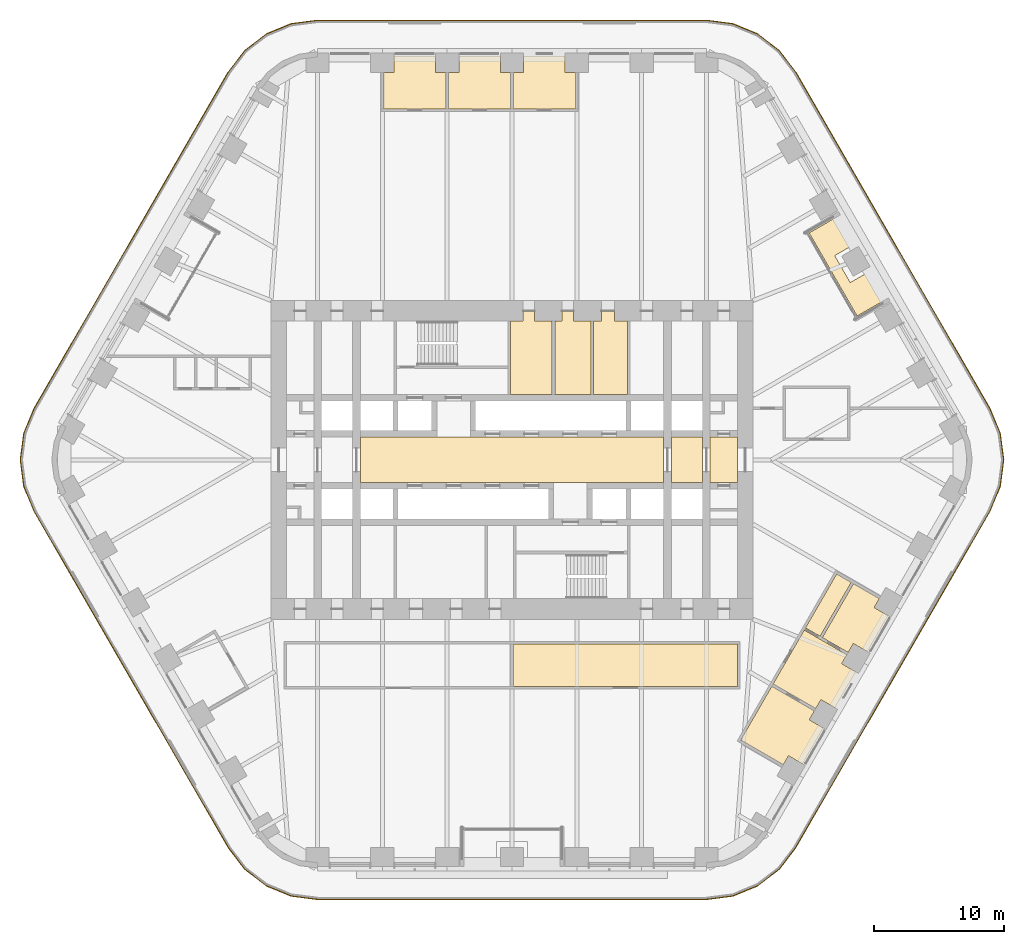
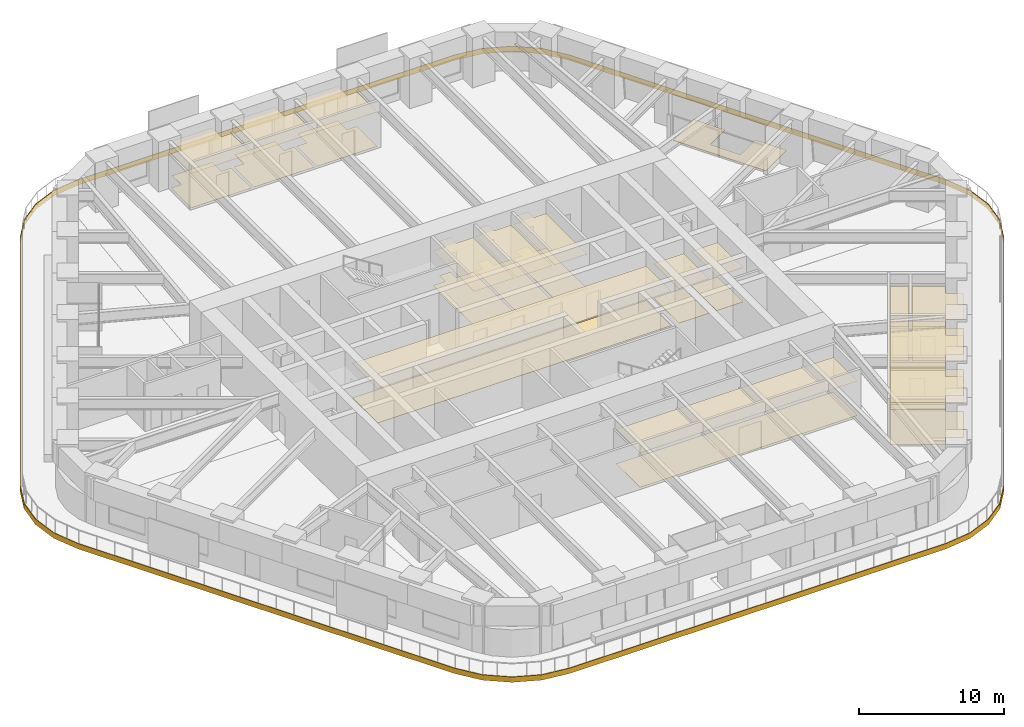
# One storey, part 23 of 24: 16 coverings.
"""IFC4 building model written with IfcOpenShell, lengths in metres."""

from ifc_helpers import new_model, si_unit, direction, frame, origin, place, context, subcontext, project, spatial, polyline, outline, extrude, material, layer, layer_set, type_object, element, save


model = new_model("IFC4")

# Units and contexts
model_context = context("Model", 3, precision=1e-05, world=origin(), true_north=direction((0.0, 1.0)))
body_context = subcontext(model_context, "Body", "Model", "MODEL_VIEW")
ifc_project = project(units=[si_unit("LENGTHUNIT", "METRE"), si_unit("AREAUNIT", "SQUARE_METRE"), si_unit("VOLUMEUNIT", "CUBIC_METRE"), si_unit("PLANEANGLEUNIT", "RADIAN"), si_unit("MASSUNIT", "GRAM", prefix="KILO")], contexts=[model_context])

# Site, building, storey
site_placement = place(None, origin())
site = spatial("IfcSite", under=ifc_project, at=site_placement, CompositionType="ELEMENT")
building_placement = place(site_placement, origin())
building = spatial("IfcBuilding", under=site, at=building_placement, Name="Tarfa Lantern Tower", CompositionType="ELEMENT")
storey_placement = place(building_placement, frame((0.0, 0.0, 123.699951171875)))
storey = spatial("IfcBuildingStorey", under=building, at=storey_placement, Name="L27", CompositionType="ELEMENT", Elevation=123.699951171875)

# Coverings
ifc_material_1 = material(Name="Mineral fibre acoustic tile on suspension grid", Category="finish")
ifc_layer_1 = layer(ifc_material_1, 0.02001953125)
ifc_layer_set_1 = layer_set([ifc_layer_1], Name="CL1 ACOUSTIC TILE CEILING 20")
covering_type_1 = type_object("IfcCoveringType", Name="CL1 ACOUSTIC TILE CEILING 20", PredefinedType="CEILING", material=ifc_layer_set_1)
covering_1_placement = place(storey_placement, frame((0.0, 0.0, 2.900146484375)))
element("IfcCovering", 1, at=covering_1_placement, inside=storey, type_object=covering_type_1, Name="Ceiling L27 CL1", PredefinedType="CEILING", context=body_context, shape_type="SweptSolid", body=[
    extrude(outline(polyline([(4.90380859375, 27.10009765625), (0.10009765625, 27.10009765625), (0.10009765625, 29.89990234375), (0.89990234375, 29.89990234375), (0.89990234375, 31.14990234375), (4.103759765625, 31.14990234375), (4.103759765625, 29.89990234375), (4.90380859375, 29.89990234375), (4.90380859375, 27.10009765625)])), origin(), (0.0, 0.0, 1.0), 0.02001953125),
    extrude(outline(polyline([(-0.10009765625, 27.10009765625), (-4.90380859375, 27.10009765625), (-4.90380859375, 29.89990234375), (-4.103759765625, 29.89990234375), (-4.103759765625, 31.14990234375), (-0.89990234375, 31.14990234375), (-0.89990234375, 29.89990234375), (-0.10009765625, 29.89990234375), (-0.10009765625, 27.10009765625)])), origin(), (0.0, 0.0, 1.0), 0.02001953125),
    extrude(outline(polyline([(-5.103759765625, 27.10009765625), (-9.907470703125, 27.10009765625), (-9.907470703125, 29.89990234375), (-9.107421875, 29.89990234375), (-9.107421875, 31.14990234375), (-5.90380859375, 31.14990234375), (-5.90380859375, 29.89990234375), (-5.103759765625, 29.89990234375), (-5.103759765625, 27.10009765625)])), origin(), (0.0, 0.0, 1.0), 0.02001953125),
    extrude(outline(polyline([(20.051513671875, -17.469970703125), (23.34228515625, -19.369873046875), (22.9423828125, -20.062744140625), (24.02490234375, -20.687744140625), (22.423095703125, -23.462158203125), (21.340576171875, -22.837158203125), (20.9404296875, -23.530029296875), (17.649658203125, -21.630126953125), (20.051513671875, -17.469970703125)])), origin(), (0.0, 0.0, 1.0), 0.02001953125),
    extrude(outline(polyline([(22.55322265625, -13.13671875), (25.84423828125, -15.03662109375), (25.444091796875, -15.7294921875), (26.526611328125, -16.3544921875), (24.9248046875, -19.12890625), (23.84228515625, -18.50390625), (23.4423828125, -19.19677734375), (20.1513671875, -17.296630859375), (22.55322265625, -13.13671875)])), origin(), (0.0, 0.0, 1.0), 0.02001953125),
    extrude(outline(polyline([(26.354248046875, -9.55322265625), (28.345947265625, -10.703369140625), (27.946044921875, -11.39599609375), (29.028564453125, -12.02099609375), (27.4267578125, -14.795654296875), (26.34423828125, -14.170654296875), (25.944091796875, -14.86328125), (23.952392578125, -13.71337890625), (26.354248046875, -9.55322265625)])), origin(), (0.0, 0.0, 1.0), 0.02001953125),
    extrude(outline(polyline([(25.05517578125, -8.80322265625), (26.180908203125, -9.453369140625), (23.779052734375, -13.61328125), (22.6533203125, -12.96337890625), (25.05517578125, -8.80322265625)])), origin(), (0.0, 0.0, 1.0), 0.02001953125),
    extrude(outline(polyline([(0.10009765625, -14.199951171875), (17.39990234375, -14.199951171875), (17.39990234375, -17.5), (0.10009765625, -17.5), (0.10009765625, -14.199951171875)])), origin(), (0.0, 0.0, 1.0), 0.02001953125),
])
ifc_material_2 = material(Name="Moisture-resistant plasterboard", Category="finish")
ifc_layer_2 = layer(ifc_material_2, 0.014892578125)
ifc_layer_set_2 = layer_set([ifc_layer_2], Name="CL2 MOISTURE-RESISTANT PLASTERBOARD CEILING 15")
covering_type_2 = type_object("IfcCoveringType", Name="CL2 MOISTURE-RESISTANT PLASTERBOARD CEILING 15", PredefinedType="CEILING", material=ifc_layer_set_2)
covering_2_placement = place(storey_placement, frame((0.0, 0.0, 2.900146484375)))
element("IfcCovering", 2, at=covering_2_placement, inside=storey, type_object=covering_type_2, Name="Ceiling L27-09", PredefinedType="CEILING", context=body_context, shape_type="SweptSolid", body=[
    extrude(outline(polyline([(0.85009765625, 10.699951171875), (-0.10009765625, 10.699951171875), (-0.10009765625, 5.050048828125), (3.10009765625, 5.050048828125), (3.10009765625, 10.699951171875), (1.75, 10.699951171875), (1.75, 11.5), (0.85009765625, 11.5), (0.85009765625, 10.699951171875)])), origin(), (0.0, 0.0, 1.0), 0.014892578125),
])
covering_3_placement = place(storey_placement, frame((0.0, 0.0, 2.900146484375)))
element("IfcCovering", 3, at=covering_3_placement, inside=storey, type_object=covering_type_2, Name="Ceiling L27-10", PredefinedType="CEILING", context=body_context, shape_type="SweptSolid", body=[
    extrude(outline(polyline([(3.300048828125, 5.050048828125), (6.10009765625, 5.050048828125), (6.10009765625, 10.699951171875), (4.75, 10.699951171875), (4.75, 11.5), (3.85009765625, 11.5), (3.85009765625, 10.699951171875), (3.300048828125, 10.699951171875), (3.300048828125, 5.050048828125)])), origin(), (0.0, 0.0, 1.0), 0.014892578125),
])
covering_4_placement = place(storey_placement, frame((0.0, 0.0, 2.900146484375)))
element("IfcCovering", 4, at=covering_4_placement, inside=storey, type_object=covering_type_2, Name="Ceiling L27-11", PredefinedType="CEILING", context=body_context, shape_type="SweptSolid", body=[
    extrude(outline(polyline([(6.300048828125, 5.050048828125), (8.89990234375, 5.050048828125), (8.89990234375, 10.699951171875), (7.89990234375, 10.699951171875), (7.89990234375, 11.5), (6.89990234375, 11.5), (6.89990234375, 10.699951171875), (6.300048828125, 10.699951171875), (6.300048828125, 5.050048828125)])), origin(), (0.0, 0.0, 1.0), 0.014892578125),
])
ifc_material_3 = material(Name="Powder-coated aluminium panel", Category="aluminium")
ifc_layer_3 = layer(ifc_material_3, 0.030029296875)
ifc_layer_set_3 = layer_set([ifc_layer_3], Name="CL3 METAL PANEL CEILING 30")
covering_type_3 = type_object("IfcCoveringType", Name="CL3 METAL PANEL CEILING 30", PredefinedType="CEILING", material=ifc_layer_set_3)
covering_5_placement = place(storey_placement, frame((0.0, 0.0, 2.900146484375)))
element("IfcCovering", 5, at=covering_5_placement, inside=storey, type_object=covering_type_3, Name="Ceiling L27-03", PredefinedType="CEILING", context=body_context, shape_type="SweptSolid", body=[
    extrude(outline(polyline([(-11.699951171875, -1.75), (11.699951171875, -1.75), (11.699951171875, 1.75), (-11.699951171875, 1.75), (-11.699951171875, -1.75)])), origin(), (0.0, 0.0, 1.0), 0.02978515625),
])
covering_6_placement = place(storey_placement, frame((0.0, 0.0, 2.900146484375)))
element("IfcCovering", 6, at=covering_6_placement, inside=storey, type_object=covering_type_3, Name="Ceiling L27-04", PredefinedType="CEILING", context=body_context, shape_type="SweptSolid", body=[
    extrude(outline(polyline([(12.300048828125, -1.75), (14.699951171875, -1.75), (14.699951171875, 1.75), (12.300048828125, 1.75), (12.300048828125, -1.75)])), origin(), (0.0, 0.0, 1.0), 0.02978515625),
])
covering_7_placement = place(storey_placement, frame((0.0, 0.0, 2.900146484375)))
element("IfcCovering", 7, at=covering_7_placement, inside=storey, type_object=covering_type_3, Name="Ceiling L27-05", PredefinedType="CEILING", context=body_context, shape_type="SweptSolid", body=[
    extrude(outline(polyline([(15.300048828125, -1.75), (17.39990234375, -1.75), (17.39990234375, 1.75), (15.300048828125, 1.75), (15.300048828125, -1.75)])), origin(), (0.0, 0.0, 1.0), 0.02978515625),
])
ifc_material_4 = material(Name="Nylon carpet tile", Category="finish")
ifc_layer_4 = layer(ifc_material_4, 0.010009765625)
ifc_layer_set_4 = layer_set([ifc_layer_4], Name="FL1 CARPET TILE 10")
covering_type_4 = type_object("IfcCoveringType", Name="FL1 CARPET TILE 10", PredefinedType="FLOORING", material=ifc_layer_set_4)
covering_8_placement = place(storey_placement, origin())
element("IfcCovering", 8, at=covering_8_placement, inside=storey, type_object=covering_type_4, Name="Floor finish L27 FL1", PredefinedType="FLOORING", context=body_context, shape_type="SweptSolid", body=[
    extrude(outline(polyline([(4.90380859375, 27.10009765625), (0.10009765625, 27.10009765625), (0.10009765625, 29.89990234375), (0.89990234375, 29.89990234375), (0.89990234375, 31.14990234375), (4.103759765625, 31.14990234375), (4.103759765625, 29.89990234375), (4.90380859375, 29.89990234375), (4.90380859375, 27.10009765625)])), origin(), (0.0, 0.0, 1.0), 0.010009765625),
    extrude(outline(polyline([(-0.10009765625, 27.10009765625), (-4.90380859375, 27.10009765625), (-4.90380859375, 29.89990234375), (-4.103759765625, 29.89990234375), (-4.103759765625, 31.14990234375), (-0.89990234375, 31.14990234375), (-0.89990234375, 29.89990234375), (-0.10009765625, 29.89990234375), (-0.10009765625, 27.10009765625)])), origin(), (0.0, 0.0, 1.0), 0.010009765625),
    extrude(outline(polyline([(-5.103759765625, 27.10009765625), (-9.907470703125, 27.10009765625), (-9.907470703125, 29.89990234375), (-9.107421875, 29.89990234375), (-9.107421875, 31.14990234375), (-5.90380859375, 31.14990234375), (-5.90380859375, 29.89990234375), (-5.103759765625, 29.89990234375), (-5.103759765625, 27.10009765625)])), origin(), (0.0, 0.0, 1.0), 0.010009765625),
    extrude(outline(polyline([(20.051513671875, -17.469970703125), (23.34228515625, -19.369873046875), (22.9423828125, -20.062744140625), (24.02490234375, -20.687744140625), (22.423095703125, -23.462158203125), (21.340576171875, -22.837158203125), (20.9404296875, -23.530029296875), (17.649658203125, -21.630126953125), (20.051513671875, -17.469970703125)])), origin(), (0.0, 0.0, 1.0), 0.010009765625),
    extrude(outline(polyline([(22.55322265625, -13.13671875), (25.84423828125, -15.03662109375), (25.444091796875, -15.7294921875), (26.526611328125, -16.3544921875), (24.9248046875, -19.12890625), (23.84228515625, -18.50390625), (23.4423828125, -19.19677734375), (20.1513671875, -17.296630859375), (22.55322265625, -13.13671875)])), origin(), (0.0, 0.0, 1.0), 0.010009765625),
    extrude(outline(polyline([(26.354248046875, -9.55322265625), (28.345947265625, -10.703369140625), (27.946044921875, -11.39599609375), (29.028564453125, -12.02099609375), (27.4267578125, -14.795654296875), (26.34423828125, -14.170654296875), (25.944091796875, -14.86328125), (23.952392578125, -13.71337890625), (26.354248046875, -9.55322265625)])), origin(), (0.0, 0.0, 1.0), 0.010009765625),
    extrude(outline(polyline([(25.05517578125, -8.80322265625), (26.180908203125, -9.453369140625), (23.779052734375, -13.61328125), (22.6533203125, -12.96337890625), (25.05517578125, -8.80322265625)])), origin(), (0.0, 0.0, 1.0), 0.010009765625),
    extrude(outline(polyline([(0.10009765625, -14.199951171875), (17.39990234375, -14.199951171875), (17.39990234375, -17.5), (0.10009765625, -17.5), (0.10009765625, -14.199951171875)])), origin(), (0.0, 0.0, 1.0), 0.010009765625),
])
ifc_material_5 = material(Name="Honed limestone flooring", Category="masonry")
ifc_layer_5 = layer(ifc_material_5, 0.030029296875)
ifc_layer_set_5 = layer_set([ifc_layer_5], Name="FL2 STONE FLOORING 30")
covering_type_5 = type_object("IfcCoveringType", Name="FL2 STONE FLOORING 30", PredefinedType="FLOORING", material=ifc_layer_set_5)
covering_9_placement = place(storey_placement, origin())
element("IfcCovering", 9, at=covering_9_placement, inside=storey, type_object=covering_type_5, Name="Floor finish L27-03", PredefinedType="FLOORING", context=body_context, shape_type="SweptSolid", body=[
    extrude(outline(polyline([(-11.699951171875, -1.75), (11.699951171875, -1.75), (11.699951171875, 1.75), (-11.699951171875, 1.75), (-11.699951171875, -1.75)])), origin(), (0.0, 0.0, 1.0), 0.030029296875),
])
covering_10_placement = place(storey_placement, origin())
element("IfcCovering", 10, at=covering_10_placement, inside=storey, type_object=covering_type_5, Name="Floor finish L27-04", PredefinedType="FLOORING", context=body_context, shape_type="SweptSolid", body=[
    extrude(outline(polyline([(12.300048828125, -1.75), (14.699951171875, -1.75), (14.699951171875, 1.75), (12.300048828125, 1.75), (12.300048828125, -1.75)])), origin(), (0.0, 0.0, 1.0), 0.030029296875),
])
covering_11_placement = place(storey_placement, origin())
element("IfcCovering", 11, at=covering_11_placement, inside=storey, type_object=covering_type_5, Name="Floor finish L27-05", PredefinedType="FLOORING", context=body_context, shape_type="SweptSolid", body=[
    extrude(outline(polyline([(15.300048828125, -1.75), (17.39990234375, -1.75), (17.39990234375, 1.75), (15.300048828125, 1.75), (15.300048828125, -1.75)])), origin(), (0.0, 0.0, 1.0), 0.030029296875),
])
ifc_material_6 = material(Name="Porcelain floor tile", Category="finish")
ifc_layer_6 = layer(ifc_material_6, 0.011962890625)
ifc_layer_set_6 = layer_set([ifc_layer_6], Name="FL3 CERAMIC TILE 12")
covering_type_6 = type_object("IfcCoveringType", Name="FL3 CERAMIC TILE 12", PredefinedType="FLOORING", material=ifc_layer_set_6)
covering_12_placement = place(storey_placement, origin())
element("IfcCovering", 12, at=covering_12_placement, inside=storey, type_object=covering_type_6, Name="Floor finish L27-09", PredefinedType="FLOORING", context=body_context, shape_type="SweptSolid", body=[
    extrude(outline(polyline([(0.85009765625, 10.699951171875), (-0.10009765625, 10.699951171875), (-0.10009765625, 5.050048828125), (3.10009765625, 5.050048828125), (3.10009765625, 10.699951171875), (1.75, 10.699951171875), (1.75, 11.5), (0.85009765625, 11.5), (0.85009765625, 10.699951171875)])), origin(), (0.0, 0.0, 1.0), 0.011962890625),
])
covering_13_placement = place(storey_placement, origin())
element("IfcCovering", 13, at=covering_13_placement, inside=storey, type_object=covering_type_6, Name="Floor finish L27-10", PredefinedType="FLOORING", context=body_context, shape_type="SweptSolid", body=[
    extrude(outline(polyline([(3.300048828125, 5.050048828125), (6.10009765625, 5.050048828125), (6.10009765625, 10.699951171875), (4.75, 10.699951171875), (4.75, 11.5), (3.85009765625, 11.5), (3.85009765625, 10.699951171875), (3.300048828125, 10.699951171875), (3.300048828125, 5.050048828125)])), origin(), (0.0, 0.0, 1.0), 0.011962890625),
])
covering_14_placement = place(storey_placement, origin())
element("IfcCovering", 14, at=covering_14_placement, inside=storey, type_object=covering_type_6, Name="Floor finish L27-11", PredefinedType="FLOORING", context=body_context, shape_type="SweptSolid", body=[
    extrude(outline(polyline([(6.300048828125, 5.050048828125), (8.89990234375, 5.050048828125), (8.89990234375, 10.699951171875), (7.89990234375, 10.699951171875), (7.89990234375, 11.5), (6.89990234375, 11.5), (6.89990234375, 10.699951171875), (6.300048828125, 10.699951171875), (6.300048828125, 5.050048828125)])), origin(), (0.0, 0.0, 1.0), 0.011962890625),
])
ifc_material_7 = material(Name="Porcelain pavers on pedestals", Category="ceramic")
ifc_layer_7 = layer(ifc_material_7, 0.0400390625)
ifc_layer_set_7 = layer_set([ifc_layer_7], Name="LP1 LOGGIA PAVING 40")
covering_type_7 = type_object("IfcCoveringType", Name="LP1 LOGGIA PAVING 40", PredefinedType="FLOORING", material=ifc_layer_set_7)
covering_15_placement = place(storey_placement, origin())
element("IfcCovering", 15, at=covering_15_placement, inside=storey, type_object=covering_type_7, Name="Loggia paving NE", PredefinedType="FLOORING", context=body_context, shape_type="SweptSolid", body=[
    extrude(outline(polyline([(29.131591796875, 12.54248046875), (26.637451171875, 11.1025390625), (22.933837890625, 17.517578125), (25.427978515625, 18.95751953125), (26.6796875, 16.789306640625), (24.904541015625, 15.76416015625), (26.1044921875, 13.685791015625), (27.8798828125, 14.710693359375), (29.131591796875, 12.54248046875)])), origin(), (0.0, 0.0, 1.0), 0.0400390625),
])
ifc_material_8 = material(Name="Limestone cladding on brackets", Category="masonry")
ifc_layer_8 = layer(ifc_material_8, 0.050048828125)
ifc_layer_set_8 = layer_set([ifc_layer_8], Name="SB1 STONE BAND CLADDING 50")
covering_type_8 = type_object("IfcCoveringType", Name="SB1 STONE BAND CLADDING 50", PredefinedType="CLADDING", material=ifc_layer_set_8)
covering_16_placement = place(storey_placement, frame((0.0, 0.0, -0.39990234375)))
element("IfcCovering", 16, at=covering_16_placement, inside=storey, type_object=covering_type_8, Name="Stone band", PredefinedType="CLADDING", context=body_context, shape_type="SweptSolid", body=[
    extrude(outline(polyline([(36.9072265625, 3.97509765625), (21.89599609375, 29.97509765625), (20.632568359375, 31.62158203125), (18.986083984375, 32.885009765625), (17.068603515625, 33.67919921875), (15.010986328125, 33.949951171875), (-15.010986328125, 33.949951171875), (-17.068603515625, 33.67919921875), (-18.986083984375, 32.885009765625), (-20.632568359375, 31.62158203125), (-21.89599609375, 29.97509765625), (-36.9072265625, 3.97509765625), (-37.701416015625, 2.0576171875), (-37.97216796875, 0.0), (-37.701416015625, -2.0576171875), (-36.9072265625, -3.97509765625), (-21.89599609375, -29.97509765625), (-20.632568359375, -31.62158203125), (-18.986083984375, -32.885009765625), (-17.068603515625, -33.67919921875), (-15.010986328125, -33.949951171875), (15.010986328125, -33.949951171875), (17.068603515625, -33.67919921875), (18.986083984375, -32.885009765625), (20.632568359375, -31.62158203125), (21.89599609375, -29.97509765625), (36.9072265625, -3.97509765625), (37.701416015625, -2.0576171875), (37.97216796875, 0.0), (37.701416015625, 2.0576171875), (36.9072265625, 3.97509765625)]), holes=[polyline([(36.86376953125, 3.949951171875), (21.852783203125, 29.949951171875), (20.59716796875, 31.586181640625), (18.961181640625, 32.841552734375), (17.0556640625, 33.630859375), (15.010986328125, 33.89990234375), (-15.010986328125, 33.89990234375), (-17.0556640625, 33.630859375), (-18.961181640625, 32.841552734375), (-20.59716796875, 31.586181640625), (-21.852783203125, 29.949951171875), (-36.86376953125, 3.949951171875), (-37.653076171875, 2.044677734375), (-37.922119140625, 0.0), (-37.653076171875, -2.044677734375), (-36.86376953125, -3.949951171875), (-21.852783203125, -29.949951171875), (-20.59716796875, -31.586181640625), (-18.961181640625, -32.841552734375), (-17.0556640625, -33.630859375), (-15.010986328125, -33.89990234375), (15.010986328125, -33.89990234375), (17.0556640625, -33.630859375), (18.961181640625, -32.841552734375), (20.59716796875, -31.586181640625), (21.852783203125, -29.949951171875), (36.86376953125, -3.949951171875), (37.653076171875, -2.044677734375), (37.922119140625, 0.0), (37.653076171875, 2.044677734375), (36.86376953125, 3.949951171875)])]), origin(), (0.0, 0.0, 1.0), 0.449951171875),
])

save(model, "model.ifc")
